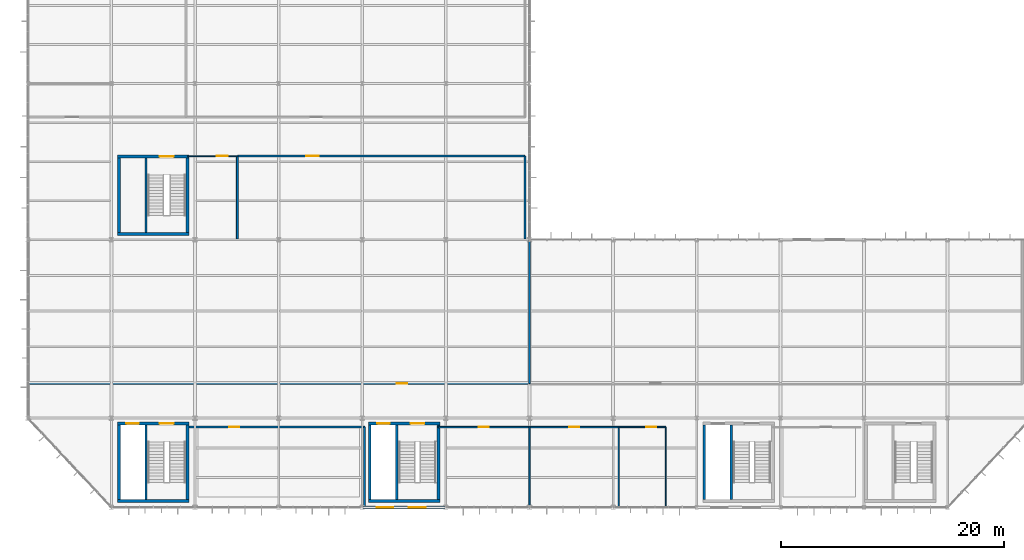
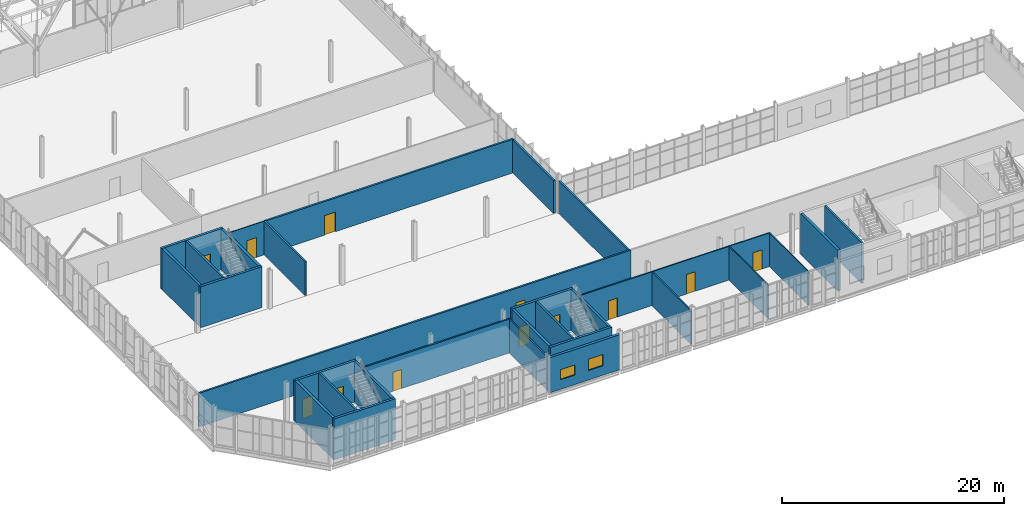
# One storey, part 305 of 324: 32 walls, 12 doors, 2 windows, 14 openings.
"""IFC4 building model written with IfcOpenShell, lengths in metres."""

from ifc_helpers import new_model, si_unit, direction, frame, frame_2d, origin, place, context, subcontext, project, spatial, rectangle, extrude, material, layer, layer_set, type_object, element, fill, save


model = new_model("IFC4")

# Units and contexts
model_context = context("Model", 3, precision=1e-05, world=origin(), true_north=direction((0.0, 1.0)))
body_context = subcontext(model_context, "Body", "Model", "MODEL_VIEW")
ifc_project = project(units=[si_unit("LENGTHUNIT", "METRE"), si_unit("AREAUNIT", "SQUARE_METRE"), si_unit("VOLUMEUNIT", "CUBIC_METRE"), si_unit("PLANEANGLEUNIT", "RADIAN"), si_unit("MASSUNIT", "GRAM", prefix="KILO")], contexts=[model_context])

# Site, building, storey
site_placement = place(None, origin())
site = spatial("IfcSite", under=ifc_project, at=site_placement, CompositionType="ELEMENT")
building_placement = place(site_placement, origin())
building = spatial("IfcBuilding", under=site, at=building_placement, Name="Solvenia Promenade Tram Depot", CompositionType="ELEMENT")
storey_placement = place(building_placement, frame((0.0, 0.0, 4.5)))
storey = spatial("IfcBuildingStorey", under=building, at=storey_placement, Name="L01", CompositionType="ELEMENT", Elevation=4.5)

# Wall
ifc_material_1 = material(Name="Concrete C28/35", Category="concrete")
ifc_layer_1 = layer(ifc_material_1, 0.25, Name="Concrete C28/35", Category="concrete")
ifc_layer_set_1 = layer_set([ifc_layer_1], Name="Concrete C28/35")
wall_type_1 = type_object("IfcWallType", Name="Wall-Core-250", PredefinedType="SHEAR", material=ifc_layer_set_1)
wall_1_placement = place(storey_placement, frame((8.050048828125, 0.574951171875, 0.0), z_axis=(0.0, 0.0, 1.0), x_axis=(1.0, 0.0, 0.0)))
element("IfcWall", 1, at=wall_1_placement, inside=storey, type_object=wall_type_1, Name="Core C1 Shear Wall WC-C1-L01-S", PredefinedType="SHEAR", context=body_context, shape_type="SweptSolid", body=[
    extrude(rectangle(XDim=6.39990234375, YDim=0.25, at=frame_2d((3.199951171875, 0.0))), origin(), (0.0, 0.0, 1.0), 4.5),
])

# Wall, openings, doors
wall_2_placement = place(storey_placement, frame((8.050048828125, 7.52490234375, 0.0), z_axis=(0.0, 0.0, 1.0), x_axis=(1.0, 0.0, 0.0)))
wall_2 = element("IfcWall", 2, at=wall_2_placement, inside=storey, type_object=wall_type_1, Name="Core C1 Shear Wall WC-C1-L01-N", PredefinedType="SHEAR", context=body_context, shape_type="SweptSolid", body=[
    extrude(rectangle(XDim=6.39990234375, YDim=0.25, at=frame_2d((3.199951171875, 0.0))), origin(), (0.0, 0.0, 1.0), 4.5),
])
opening_1_placement = place(wall_2_placement, frame((0.800048828125, 0.0, 0.0)))
opening_1 = element("IfcOpeningElement", 3, at=opening_1_placement, cuts=wall_2, Name="Opening LD-01", PredefinedType="OPENING", context=body_context, shape_type="SweptSolid", body=[
    extrude(rectangle(XDim=1.10009765625, YDim=2.14990234375, at=frame_2d((0.550048828125, 1.074951171875))), frame((0.0, 0.135009765625, 0.0), z_axis=(0.0, -1.0, 0.0), x_axis=(1.0, 0.0, 0.0)), (0.0, 0.0, 1.0), 0.27001953125),
])
opening_2_placement = place(wall_2_placement, frame((3.77490234375, 0.0, 0.0)))
opening_2 = element("IfcOpeningElement", 4, at=opening_2_placement, cuts=wall_2, Name="Opening D-FD90", PredefinedType="OPENING", context=body_context, shape_type="SweptSolid", body=[
    extrude(rectangle(XDim=1.25, YDim=2.14990234375, at=frame_2d((0.625, 1.074951171875))), frame((0.0, 0.135009765625, 0.0), z_axis=(0.0, -1.0, 0.0), x_axis=(1.0, 0.0, 0.0)), (0.0, 0.0, 1.0), 0.27001953125),
])
ifc_material_2 = material(Name="Galvanized painted sheet steel", Category="steel")
door_type_1 = type_object("IfcDoorType", Name="Door-Lift-Pass-1100", OperationType="DOUBLE_DOOR_SLIDING", PredefinedType="DOOR", material=ifc_material_2)
door_1_placement = place(opening_1_placement, origin())
door_1 = element("IfcDoor", 5, at=door_1_placement, inside=storey, type_object=door_type_1, Name="Lift Landing Door LF-01 L01", OperationType="DOUBLE_DOOR_SLIDING", OverallHeight=2.14990234375, OverallWidth=1.10009765625, PredefinedType="DOOR", context=body_context, shape_type="SweptSolid", body=[
    extrude(rectangle(XDim=1.10009765625, YDim=2.14990234375, at=frame_2d((0.550048828125, 1.074951171875))), frame((0.0, 0.02490234375, 0.0), z_axis=(0.0, -1.0, 0.0), x_axis=(1.0, 0.0, 0.0)), (0.0, 0.0, 1.0), 0.050048828125),
])
fill(opening_1, door_1)
door_type_2 = type_object("IfcDoorType", Name="Door-Stair-FD90", OperationType="NOTDEFINED", PredefinedType="DOOR", material=ifc_material_2)
door_2_placement = place(opening_2_placement, frame((1.25, 0.0, 0.0), z_axis=(0.0, 0.0, 1.0), x_axis=(-1.0, 0.0, 0.0)))
door_2 = element("IfcDoor", 6, at=door_2_placement, inside=storey, type_object=door_type_2, Name="Exit Stair Door C1 L01", OperationType="SINGLE_SWING_LEFT", OverallHeight=2.14990234375, OverallWidth=1.25, PredefinedType="DOOR", context=body_context, shape_type="SweptSolid", body=[
    extrude(rectangle(XDim=1.25, YDim=2.14990234375, at=frame_2d((0.625, 1.074951171875))), frame((0.0, 0.02490234375, 0.0), z_axis=(0.0, -1.0, 0.0), x_axis=(1.0, 0.0, 0.0)), (0.0, 0.0, 1.0), 0.050048828125),
])
fill(opening_2, door_2)

# Walls
for number, where, z_axis, x_axis, name in (
    (7, (8.175048828125, 0.699951171875, 0.0), (0.0, 0.0, 1.0), (0.0, 1.0, 0.0), "Core C1 Shear Wall WC-C1-L01-W"),
    (8, (14.324951171875, 0.699951171875, 0.0), (0.0, 0.0, 1.0), (0.0, 1.0, 0.0), "Core C1 Shear Wall WC-C1-L01-E"),
):
    element("IfcWall", number, at=place(storey_placement, frame(where, z_axis=z_axis, x_axis=x_axis)), inside=storey, type_object=wall_type_1, Name=name, PredefinedType="SHEAR", context=body_context, shape_type="SweptSolid", body=[
        extrude(rectangle(XDim=6.699951171875, YDim=0.25, at=frame_2d((3.35009765625, 0.0))), origin(), (0.0, 0.0, 1.0), 4.5),
    ])
wall_3_placement = place(storey_placement, frame((30.550048828125, 0.574951171875, 0.0), z_axis=(0.0, 0.0, 1.0), x_axis=(1.0, 0.0, 0.0)))
element("IfcWall", 9, at=wall_3_placement, inside=storey, type_object=wall_type_1, Name="Core C2 Shear Wall WC-C2-L01-S", PredefinedType="SHEAR", context=body_context, shape_type="SweptSolid", body=[
    extrude(rectangle(XDim=6.39990234375, YDim=0.25, at=frame_2d((3.199951171875, 0.0))), origin(), (0.0, 0.0, 1.0), 4.5),
])

# Wall, openings, doors
wall_4_placement = place(storey_placement, frame((30.550048828125, 7.52490234375, 0.0), z_axis=(0.0, 0.0, 1.0), x_axis=(1.0, 0.0, 0.0)))
wall_4 = element("IfcWall", 10, at=wall_4_placement, inside=storey, type_object=wall_type_1, Name="Core C2 Shear Wall WC-C2-L01-N", PredefinedType="SHEAR", context=body_context, shape_type="SweptSolid", body=[
    extrude(rectangle(XDim=6.39990234375, YDim=0.25, at=frame_2d((3.199951171875, 0.0))), origin(), (0.0, 0.0, 1.0), 4.5),
])
opening_3_placement = place(wall_4_placement, frame((0.800048828125, 0.0, 0.0)))
opening_3 = element("IfcOpeningElement", 11, at=opening_3_placement, cuts=wall_4, Name="Opening LD-02", PredefinedType="OPENING", context=body_context, shape_type="SweptSolid", body=[
    extrude(rectangle(XDim=1.10009765625, YDim=2.14990234375, at=frame_2d((0.550048828125, 1.074951171875))), frame((0.0, 0.135009765625, 0.0), z_axis=(0.0, -1.0, 0.0), x_axis=(1.0, 0.0, 0.0)), (0.0, 0.0, 1.0), 0.27001953125),
])
opening_4_placement = place(wall_4_placement, frame((3.77490234375, 0.0, 0.0)))
opening_4 = element("IfcOpeningElement", 12, at=opening_4_placement, cuts=wall_4, Name="Opening D-FD90", PredefinedType="OPENING", context=body_context, shape_type="SweptSolid", body=[
    extrude(rectangle(XDim=1.25, YDim=2.14990234375, at=frame_2d((0.625, 1.074951171875))), frame((0.0, 0.135009765625, 0.0), z_axis=(0.0, -1.0, 0.0), x_axis=(1.0, 0.0, 0.0)), (0.0, 0.0, 1.0), 0.27001953125),
])
door_3_placement = place(opening_3_placement, origin())
door_3 = element("IfcDoor", 13, at=door_3_placement, inside=storey, type_object=door_type_1, Name="Lift Landing Door LF-02 L01", OperationType="DOUBLE_DOOR_SLIDING", OverallHeight=2.14990234375, OverallWidth=1.10009765625, PredefinedType="DOOR", context=body_context, shape_type="SweptSolid", body=[
    extrude(rectangle(XDim=1.10009765625, YDim=2.14990234375, at=frame_2d((0.550048828125, 1.074951171875))), frame((0.0, 0.02490234375, 0.0), z_axis=(0.0, -1.0, 0.0), x_axis=(1.0, 0.0, 0.0)), (0.0, 0.0, 1.0), 0.050048828125),
])
fill(opening_3, door_3)
door_4_placement = place(opening_4_placement, frame((1.25, 0.0, 0.0), z_axis=(0.0, 0.0, 1.0), x_axis=(-1.0, 0.0, 0.0)))
door_4 = element("IfcDoor", 14, at=door_4_placement, inside=storey, type_object=door_type_2, Name="Exit Stair Door C2 L01", OperationType="SINGLE_SWING_RIGHT", OverallHeight=2.14990234375, OverallWidth=1.25, PredefinedType="DOOR", context=body_context, shape_type="SweptSolid", body=[
    extrude(rectangle(XDim=1.25, YDim=2.14990234375, at=frame_2d((0.625, 1.074951171875))), frame((0.0, 0.02490234375, 0.0), z_axis=(0.0, -1.0, 0.0), x_axis=(1.0, 0.0, 0.0)), (0.0, 0.0, 1.0), 0.050048828125),
])
fill(opening_4, door_4)

# Walls
for number, where, z_axis, x_axis, name in (
    (15, (30.675048828125, 0.699951171875, 0.0), (0.0, 0.0, 1.0), (0.0, 1.0, 0.0), "Core C2 Shear Wall WC-C2-L01-W"),
    (16, (36.824951171875, 0.699951171875, 0.0), (0.0, 0.0, 1.0), (0.0, 1.0, 0.0), "Core C2 Shear Wall WC-C2-L01-E"),
    (17, (60.675048828125, 0.699951171875, 0.0), (0.0, 0.0, 1.0), (0.0, 1.0, 0.0), "Core C3 Shear Wall WC-C3-L01-W"),
):
    element("IfcWall", number, at=place(storey_placement, frame(where, z_axis=z_axis, x_axis=x_axis)), inside=storey, type_object=wall_type_1, Name=name, PredefinedType="SHEAR", context=body_context, shape_type="SweptSolid", body=[
        extrude(rectangle(XDim=6.699951171875, YDim=0.25, at=frame_2d((3.35009765625, 0.0))), origin(), (0.0, 0.0, 1.0), 4.5),
    ])
wall_5_placement = place(storey_placement, frame((8.050048828125, 24.52490234375, 0.0), z_axis=(0.0, 0.0, 1.0), x_axis=(1.0, 0.0, 0.0)))
element("IfcWall", 18, at=wall_5_placement, inside=storey, type_object=wall_type_1, Name="Core C7 Shear Wall WC-C7-L01-S", PredefinedType="SHEAR", context=body_context, shape_type="SweptSolid", body=[
    extrude(rectangle(XDim=6.39990234375, YDim=0.25, at=frame_2d((3.199951171875, 0.0))), origin(), (0.0, 0.0, 1.0), 4.5),
])

# Wall, opening, door
wall_6_placement = place(storey_placement, frame((8.050048828125, 31.47509765625, 0.0), z_axis=(0.0, 0.0, 1.0), x_axis=(1.0, 0.0, 0.0)))
wall_6 = element("IfcWall", 19, at=wall_6_placement, inside=storey, type_object=wall_type_1, Name="Core C7 Shear Wall WC-C7-L01-N", PredefinedType="SHEAR", context=body_context, shape_type="SweptSolid", body=[
    extrude(rectangle(XDim=6.39990234375, YDim=0.25, at=frame_2d((3.199951171875, 0.0))), origin(), (0.0, 0.0, 1.0), 4.5),
])
opening_5_placement = place(wall_6_placement, frame((3.77490234375, 0.0, 0.0)))
opening_5 = element("IfcOpeningElement", 20, at=opening_5_placement, cuts=wall_6, Name="Opening D-FD90", PredefinedType="OPENING", context=body_context, shape_type="SweptSolid", body=[
    extrude(rectangle(XDim=1.25, YDim=2.14990234375, at=frame_2d((0.625, 1.074951171875))), frame((0.0, 0.135009765625, 0.0), z_axis=(0.0, -1.0, 0.0), x_axis=(1.0, 0.0, 0.0)), (0.0, 0.0, 1.0), 0.27001953125),
])
door_5_placement = place(opening_5_placement, frame((1.25, 0.0, 0.0), z_axis=(0.0, 0.0, 1.0), x_axis=(-1.0, 0.0, 0.0)))
door_5 = element("IfcDoor", 21, at=door_5_placement, inside=storey, type_object=door_type_2, Name="Exit Stair Door C7 L01", OperationType="SINGLE_SWING_LEFT", OverallHeight=2.14990234375, OverallWidth=1.25, PredefinedType="DOOR", context=body_context, shape_type="SweptSolid", body=[
    extrude(rectangle(XDim=1.25, YDim=2.14990234375, at=frame_2d((0.625, 1.074951171875))), frame((0.0, 0.02490234375, 0.0), z_axis=(0.0, -1.0, 0.0), x_axis=(1.0, 0.0, 0.0)), (0.0, 0.0, 1.0), 0.050048828125),
])
fill(opening_5, door_5)

# Walls
for number, where, z_axis, x_axis, name in (
    (22, (8.175048828125, 24.64990234375, 0.0), (0.0, 0.0, 1.0), (0.0, 1.0, 0.0), "Core C7 Shear Wall WC-C7-L01-W"),
    (23, (14.324951171875, 24.64990234375, 0.0), (0.0, 0.0, 1.0), (0.0, 1.0, 0.0), "Core C7 Shear Wall WC-C7-L01-E"),
):
    element("IfcWall", number, at=place(storey_placement, frame(where, z_axis=z_axis, x_axis=x_axis)), inside=storey, type_object=wall_type_1, Name=name, PredefinedType="SHEAR", context=body_context, shape_type="SweptSolid", body=[
        extrude(rectangle(XDim=6.7001953125, YDim=0.25, at=frame_2d((3.35009765625, 0.0))), origin(), (0.0, 0.0, 1.0), 4.5),
    ])

# Wall, opening, door
ifc_material_3 = material(Name="Concrete blockwork masonry", Category="masonry")
ifc_layer_2 = layer(ifc_material_3, 0.195068359375, Name="Concrete blockwork masonry", Category="masonry")
ifc_layer_set_2 = layer_set([ifc_layer_2], Name="Concrete blockwork masonry")
wall_type_2 = type_object("IfcWallType", Name="Wall-Fire-195", PredefinedType="PARTITIONING", material=ifc_layer_set_2)
wall_7_placement = place(storey_placement, frame((18.800048828125, 31.5, 0.0), z_axis=(0.0, 0.0, 1.0), x_axis=(1.0, 0.0, 0.0)))
wall_7 = element("IfcWall", 24, at=wall_7_placement, inside=storey, type_object=wall_type_2, Name="Coagulant Storage Room Partition WP-L01-074", PredefinedType="PARTITIONING", context=body_context, shape_type="SweptSolid", body=[
    extrude(rectangle(XDim=25.800048828125, YDim=0.195068359375, at=frame_2d((12.89990234375, 0.0))), origin(), (0.0, 0.0, 1.0), 3.699951171875),
])
opening_6_placement = place(wall_7_placement, frame((6.1630859375, 0.0, 0.0)))
opening_6 = element("IfcOpeningElement", 25, at=opening_6_placement, cuts=wall_7, Name="Opening D-FD60", PredefinedType="OPENING", context=body_context, shape_type="SweptSolid", body=[
    extrude(rectangle(XDim=1.14990234375, YDim=2.14990234375, at=frame_2d((0.574951171875, 1.074951171875))), frame((0.0, 0.107421875, 0.0), z_axis=(0.0, -1.0, 0.0), x_axis=(1.0, 0.0, 0.0)), (0.0, 0.0, 1.0), 0.215087890625),
])
door_type_3 = type_object("IfcDoorType", Name="Door-Fire-FD60", OperationType="NOTDEFINED", PredefinedType="DOOR", material=ifc_material_2)
door_6_placement = place(opening_6_placement, origin())
door_6 = element("IfcDoor", 26, at=door_6_placement, inside=storey, type_object=door_type_3, Name="Door to Coagulant Storage Room", OperationType="SINGLE_SWING_LEFT", OverallHeight=2.14990234375, OverallWidth=1.14990234375, PredefinedType="DOOR", context=body_context, shape_type="SweptSolid", body=[
    extrude(rectangle(XDim=1.14990234375, YDim=2.14990234375, at=frame_2d((0.574951171875, 1.074951171875))), frame((0.0, 0.02490234375, 0.0), z_axis=(0.0, -1.0, 0.0), x_axis=(1.0, 0.0, 0.0)), (0.0, 0.0, 1.0), 0.050048828125),
])
fill(opening_6, door_6)

# Walls
wall_8_placement = place(storey_placement, frame((44.60009765625, 24.080078125, 0.0), z_axis=(0.0, 0.0, 1.0), x_axis=(0.0, 1.0, 0.0)))
element("IfcWall", 27, at=wall_8_placement, inside=storey, type_object=wall_type_2, Name="Coagulant Storage Room Dividing Wall WP-L01-075", PredefinedType="PARTITIONING", context=body_context, shape_type="SweptSolid", body=[
    extrude(rectangle(XDim=7.419921875, YDim=0.195068359375, at=frame_2d((3.7099609375, 0.0))), origin(), (0.0, 0.0, 1.0), 3.613037109375),
])
ifc_layer_3 = layer(ifc_material_3, 0.14501953125, Name="Concrete blockwork masonry", Category="masonry")
ifc_layer_set_3 = layer_set([ifc_layer_3], Name="Concrete blockwork masonry")
wall_type_3 = type_object("IfcWallType", Name="Wall-Masonry-145", PredefinedType="PARTITIONING", material=ifc_layer_set_3)
wall_9_placement = place(storey_placement, frame((30.199951171875, 0.080078125, 0.0), z_axis=(0.0, 0.0, 1.0), x_axis=(0.0, 1.0, 0.0)))
element("IfcWall", 28, at=wall_9_placement, inside=storey, type_object=wall_type_3, Name="Operations Briefing Room Dividing Wall WP-L01-077", PredefinedType="PARTITIONING", context=body_context, shape_type="SweptSolid", body=[
    extrude(rectangle(XDim=7.119873046875, YDim=0.14501953125, at=frame_2d((3.56005859375, 0.0))), origin(), (0.0, 0.0, 1.0), 3.699951171875),
])

# Wall, opening, door
wall_10_placement = place(storey_placement, frame((36.824951171875, 7.199951171875, 0.0), z_axis=(0.0, 0.0, 1.0), x_axis=(1.0, 0.0, 0.0)))
wall_10 = element("IfcWall", 29, at=wall_10_placement, inside=storey, type_object=wall_type_3, Name="First Floor Male Staff WC Partition WP-L01-078", PredefinedType="PARTITIONING", context=body_context, shape_type="SweptSolid", body=[
    extrude(rectangle(XDim=8.175048828125, YDim=0.14501953125, at=frame_2d((4.08740234375, 0.0))), origin(), (0.0, 0.0, 1.0), 3.699951171875),
])
opening_7_placement = place(wall_10_placement, frame((3.636962890625, 0.0, 0.0)))
opening_7 = element("IfcOpeningElement", 30, at=opening_7_placement, cuts=wall_10, Name="Opening DR-03", PredefinedType="OPENING", context=body_context, shape_type="SweptSolid", body=[
    extrude(rectangle(XDim=0.89990234375, YDim=2.080078125, at=frame_2d((0.449951171875, 1.0400390625))), frame((0.0, 0.08251953125, 0.0), z_axis=(0.0, -1.0, 0.0), x_axis=(1.0, 0.0, 0.0)), (0.0, 0.0, 1.0), 0.1650390625),
])
door_type_4 = type_object("IfcDoorType", Name="Door-Room-900x2080", OperationType="NOTDEFINED", PredefinedType="DOOR", material=ifc_material_2)
door_7_placement = place(opening_7_placement, origin())
door_7 = element("IfcDoor", 31, at=door_7_placement, inside=storey, type_object=door_type_4, Name="Door to First Floor Male Staff WC", OperationType="SINGLE_SWING_LEFT", OverallHeight=2.080078125, OverallWidth=0.89990234375, PredefinedType="DOOR", context=body_context, shape_type="SweptSolid", body=[
    extrude(rectangle(XDim=0.89990234375, YDim=2.080078125, at=frame_2d((0.449951171875, 1.0400390625))), frame((0.0, 0.02490234375, 0.0), z_axis=(0.0, -1.0, 0.0), x_axis=(1.0, 0.0, 0.0)), (0.0, 0.0, 1.0), 0.050048828125),
])
fill(opening_7, door_7)

ifc_layer_4 = layer(ifc_material_3, 0.159912109375, Name="Concrete blockwork masonry", Category="masonry")
ifc_layer_set_4 = layer_set([ifc_layer_4], Name="Concrete blockwork masonry")
wall_type_4 = type_object("IfcWallType", Name="Wall-Masonry-160", PredefinedType="PARTITIONING", material=ifc_layer_set_4)
wall_11_placement = place(storey_placement, frame((14.324951171875, 7.199951171875, 0.0), z_axis=(0.0, 0.0, 1.0), x_axis=(1.0, 0.0, 0.0)))
wall_11 = element("IfcWall", 32, at=wall_11_placement, inside=storey, type_object=wall_type_4, Name="Operations Briefing Room Partition WP-L01-076", PredefinedType="PARTITIONING", context=body_context, shape_type="SweptSolid", body=[
    extrude(rectangle(XDim=15.875, YDim=0.159912109375, at=frame_2d((7.9375, 0.0))), origin(), (0.0, 0.0, 1.0), 3.699951171875),
])
opening_8_placement = place(wall_11_placement, frame((3.7490234375, 0.0, 0.0)))
opening_8 = element("IfcOpeningElement", 33, at=opening_8_placement, cuts=wall_11, Name="Opening DR-02", PredefinedType="OPENING", context=body_context, shape_type="SweptSolid", body=[
    extrude(rectangle(XDim=0.8798828125, YDim=2.10009765625, at=frame_2d((0.43994140625, 1.050048828125))), frame((0.0, 0.08984375, 0.0), z_axis=(0.0, -1.0, 0.0), x_axis=(1.0, 0.0, 0.0)), (0.0, 0.0, 1.0), 0.179931640625),
])
door_type_5 = type_object("IfcDoorType", Name="Door-Room-880x2100", OperationType="NOTDEFINED", PredefinedType="DOOR", material=ifc_material_2)
door_8_placement = place(opening_8_placement, origin())
door_8 = element("IfcDoor", 34, at=door_8_placement, inside=storey, type_object=door_type_5, Name="Door to Operations Briefing Room", OperationType="SINGLE_SWING_RIGHT", OverallHeight=2.10009765625, OverallWidth=0.8798828125, PredefinedType="DOOR", context=body_context, shape_type="SweptSolid", body=[
    extrude(rectangle(XDim=0.8798828125, YDim=2.10009765625, at=frame_2d((0.43994140625, 1.050048828125))), frame((0.0, 0.02490234375, 0.0), z_axis=(0.0, -1.0, 0.0), x_axis=(1.0, 0.0, 0.0)), (0.0, 0.0, 1.0), 0.050048828125),
])
fill(opening_8, door_8)

# Walls
ifc_layer_5 = layer(ifc_material_3, 0.16796875, Name="Concrete blockwork masonry", Category="masonry")
ifc_layer_set_5 = layer_set([ifc_layer_5], Name="Concrete blockwork masonry")
wall_type_5 = type_object("IfcWallType", Name="Wall-Masonry-168", PredefinedType="PARTITIONING", material=ifc_layer_set_5)
wall_12_placement = place(storey_placement, frame((45.0, 11.10009765625, 0.0), z_axis=(0.0, 0.0, 1.0), x_axis=(0.0, 1.0, 0.0)))
element("IfcWall", 35, at=wall_12_placement, inside=storey, type_object=wall_type_5, Name="Drivers Locker Suite Dividing Wall WP-L01-086", PredefinedType="PARTITIONING", context=body_context, shape_type="SweptSolid", body=[
    extrude(rectangle(XDim=12.81982421875, YDim=0.16796875, at=frame_2d((6.409912109375, 0.0))), origin(), (0.0, 0.0, 1.0), 3.5810546875),
])
ifc_layer_6 = layer(ifc_material_3, 0.175048828125, Name="Concrete blockwork masonry", Category="masonry")
ifc_layer_set_6 = layer_set([ifc_layer_6], Name="Concrete blockwork masonry")
wall_type_6 = type_object("IfcWallType", Name="Wall-Masonry-175", PredefinedType="PARTITIONING", material=ifc_layer_set_6)
wall_13_placement = place(storey_placement, frame((18.800048828125, 24.080078125, 0.0), z_axis=(0.0, 0.0, 1.0), x_axis=(0.0, 1.0, 0.0)))
element("IfcWall", 36, at=wall_13_placement, inside=storey, type_object=wall_type_6, Name="Reclamation Staff Accessible WC Dividing Wall WP-L01-073", PredefinedType="PARTITIONING", context=body_context, shape_type="SweptSolid", body=[
    extrude(rectangle(XDim=7.419921875, YDim=0.175048828125, at=frame_2d((3.7099609375, 0.0))), origin(), (0.0, 0.0, 1.0), 3.699951171875),
])

# Wall, opening, door
ifc_layer_7 = layer(ifc_material_3, 0.18505859375, Name="Concrete blockwork masonry", Category="masonry")
ifc_layer_set_7 = layer_set([ifc_layer_7], Name="Concrete blockwork masonry")
wall_type_7 = type_object("IfcWallType", Name="Wall-Masonry-185", PredefinedType="PARTITIONING", material=ifc_layer_set_7)
wall_14_placement = place(storey_placement, frame((0.159912109375, 11.10009765625, 0.0), z_axis=(0.0, 0.0, 1.0), x_axis=(1.0, 0.0, 0.0)))
wall_14 = element("IfcWall", 37, at=wall_14_placement, inside=storey, type_object=wall_type_7, Name="Drivers Locker Suite Partition WP-L01-085", PredefinedType="PARTITIONING", context=body_context, shape_type="SweptSolid", body=[
    extrude(rectangle(XDim=44.840087890625, YDim=0.18505859375, at=frame_2d((22.419921875, 0.0))), origin(), (0.0, 0.0, 1.0), 3.699951171875),
])
opening_9_placement = place(wall_14_placement, frame((32.909912109375, 0.0, 0.0)))
opening_9 = element("IfcOpeningElement", 38, at=opening_9_placement, cuts=wall_14, Name="Opening DR-07", PredefinedType="OPENING", context=body_context, shape_type="SweptSolid", body=[
    extrude(rectangle(XDim=0.9599609375, YDim=2.10009765625, at=frame_2d((0.47998046875, 1.050048828125))), frame((0.0, 0.1025390625, 0.0), z_axis=(0.0, -1.0, 0.0), x_axis=(1.0, 0.0, 0.0)), (0.0, 0.0, 1.0), 0.205078125),
])
door_type_6 = type_object("IfcDoorType", Name="Door-Room-960x2100", OperationType="NOTDEFINED", PredefinedType="DOOR", material=ifc_material_2)
door_9_placement = place(opening_9_placement, origin())
door_9 = element("IfcDoor", 39, at=door_9_placement, inside=storey, type_object=door_type_6, Name="Door to Drivers Locker Suite", OperationType="SINGLE_SWING_LEFT", OverallHeight=2.10009765625, OverallWidth=0.9599609375, PredefinedType="DOOR", context=body_context, shape_type="SweptSolid", body=[
    extrude(rectangle(XDim=0.9599609375, YDim=2.10009765625, at=frame_2d((0.47998046875, 1.050048828125))), frame((0.0, 0.02490234375, 0.0), z_axis=(0.0, -1.0, 0.0), x_axis=(1.0, 0.0, 0.0)), (0.0, 0.0, 1.0), 0.050048828125),
])
fill(opening_9, door_9)

# Wall
ifc_material_4 = material(Name="Gypsum board acoustic partition", Category="other")
ifc_layer_8 = layer(ifc_material_4, 0.114013671875, Name="Gypsum board acoustic partition", Category="other")
ifc_layer_set_8 = layer_set([ifc_layer_8], Name="Gypsum board acoustic partition")
wall_type_8 = type_object("IfcWallType", Name="Wall-Part-114", PredefinedType="PARTITIONING", material=ifc_layer_set_8)
wall_15_placement = place(storey_placement, frame((53.0, 0.080078125, 0.0), z_axis=(0.0, 0.0, 1.0), x_axis=(0.0, 1.0, 0.0)))
element("IfcWall", 40, at=wall_15_placement, inside=storey, type_object=wall_type_8, Name="First Floor Female Staff WC Dividing Wall WP-L01-081", PredefinedType="PARTITIONING", context=body_context, shape_type="SweptSolid", body=[
    extrude(rectangle(XDim=7.119873046875, YDim=0.114013671875, at=frame_2d((3.56005859375, 0.0))), origin(), (0.0, 0.0, 1.0), 3.699951171875),
])

# Wall, opening, door
wall_16_placement = place(storey_placement, frame((53.0, 7.199951171875, 0.0), z_axis=(0.0, 0.0, 1.0), x_axis=(1.0, 0.0, 0.0)))
wall_16 = element("IfcWall", 41, at=wall_16_placement, inside=storey, type_object=wall_type_8, Name="First Floor Accessible WC Partition WP-L01-082", PredefinedType="PARTITIONING", context=body_context, shape_type="SweptSolid", body=[
    extrude(rectangle(XDim=4.199951171875, YDim=0.114013671875, at=frame_2d((2.10009765625, 0.0))), origin(), (0.0, 0.0, 1.0), 3.699951171875),
])
opening_10_placement = place(wall_16_placement, frame((2.4599609375, 0.0, 0.0)))
opening_10 = element("IfcOpeningElement", 42, at=opening_10_placement, cuts=wall_16, Name="Opening DR-05", PredefinedType="OPENING", context=body_context, shape_type="SweptSolid", body=[
    extrude(rectangle(XDim=0.919921875, YDim=2.10009765625, at=frame_2d((0.4599609375, 1.050048828125))), frame((0.0, 0.06689453125, 0.0), z_axis=(0.0, -1.0, 0.0), x_axis=(1.0, 0.0, 0.0)), (0.0, 0.0, 1.0), 0.134033203125),
])
door_type_7 = type_object("IfcDoorType", Name="Door-Room-920x2100", OperationType="NOTDEFINED", PredefinedType="DOOR", material=ifc_material_2)
door_10_placement = place(opening_10_placement, origin())
door_10 = element("IfcDoor", 43, at=door_10_placement, inside=storey, type_object=door_type_7, Name="Door to First Floor Accessible WC", OperationType="SINGLE_SWING_LEFT", OverallHeight=2.10009765625, OverallWidth=0.919921875, PredefinedType="DOOR", context=body_context, shape_type="SweptSolid", body=[
    extrude(rectangle(XDim=0.919921875, YDim=2.10009765625, at=frame_2d((0.4599609375, 1.050048828125))), frame((0.0, 0.02490234375, 0.0), z_axis=(0.0, -1.0, 0.0), x_axis=(1.0, 0.0, 0.0)), (0.0, 0.0, 1.0), 0.050048828125),
])
fill(opening_10, door_10)

# Wall
ifc_layer_9 = layer(ifc_material_4, 0.1298828125, Name="Gypsum board acoustic partition", Category="other")
ifc_layer_set_9 = layer_set([ifc_layer_9], Name="Gypsum board acoustic partition")
wall_type_9 = type_object("IfcWallType", Name="Wall-Part-130", PredefinedType="PARTITIONING", material=ifc_layer_set_9)
wall_17_placement = place(storey_placement, frame((45.0, 0.080078125, 0.0), z_axis=(0.0, 0.0, 1.0), x_axis=(0.0, 1.0, 0.0)))
element("IfcWall", 44, at=wall_17_placement, inside=storey, type_object=wall_type_9, Name="First Floor Male Staff WC Dividing Wall WP-L01-079", PredefinedType="PARTITIONING", context=body_context, shape_type="SweptSolid", body=[
    extrude(rectangle(XDim=7.119873046875, YDim=0.1298828125, at=frame_2d((3.56005859375, 0.0))), origin(), (0.0, 0.0, 1.0), 3.699951171875),
])

# Wall, opening, door
wall_18_placement = place(storey_placement, frame((45.0, 7.199951171875, 0.0), z_axis=(0.0, 0.0, 1.0), x_axis=(1.0, 0.0, 0.0)))
wall_18 = element("IfcWall", 45, at=wall_18_placement, inside=storey, type_object=wall_type_9, Name="First Floor Female Staff WC Partition WP-L01-080", PredefinedType="PARTITIONING", context=body_context, shape_type="SweptSolid", body=[
    extrude(rectangle(XDim=8.0, YDim=0.1298828125, at=frame_2d((4.0, 0.0))), origin(), (0.0, 0.0, 1.0), 3.699951171875),
])
opening_11_placement = place(wall_18_placement, frame((3.550048828125, 0.0, 0.0)))
opening_11 = element("IfcOpeningElement", 46, at=opening_11_placement, cuts=wall_18, Name="Opening DR-04", PredefinedType="OPENING", context=body_context, shape_type="SweptSolid", body=[
    extrude(rectangle(XDim=0.89990234375, YDim=2.139892578125, at=frame_2d((0.449951171875, 1.06982421875))), frame((0.0, 0.074951171875, 0.0), z_axis=(0.0, -1.0, 0.0), x_axis=(1.0, 0.0, 0.0)), (0.0, 0.0, 1.0), 0.14990234375),
])
door_type_8 = type_object("IfcDoorType", Name="Door-Room-900x2140", OperationType="NOTDEFINED", PredefinedType="DOOR", material=ifc_material_2)
door_11_placement = place(opening_11_placement, origin())
door_11 = element("IfcDoor", 47, at=door_11_placement, inside=storey, type_object=door_type_8, Name="Door to First Floor Female Staff WC", OperationType="SINGLE_SWING_RIGHT", OverallHeight=2.139892578125, OverallWidth=0.89990234375, PredefinedType="DOOR", context=body_context, shape_type="SweptSolid", body=[
    extrude(rectangle(XDim=0.89990234375, YDim=2.139892578125, at=frame_2d((0.449951171875, 1.06982421875))), frame((0.0, 0.02490234375, 0.0), z_axis=(0.0, -1.0, 0.0), x_axis=(1.0, 0.0, 0.0)), (0.0, 0.0, 1.0), 0.050048828125),
])
fill(opening_11, door_11)

ifc_layer_10 = layer(ifc_material_4, 0.097900390625, Name="Gypsum board acoustic partition", Category="other")
ifc_layer_set_10 = layer_set([ifc_layer_10], Name="Gypsum board acoustic partition")
wall_type_10 = type_object("IfcWallType", Name="Wall-Part-98", PredefinedType="PARTITIONING", material=ifc_layer_set_10)
wall_19_placement = place(storey_placement, frame((14.324951171875, 31.5, 0.0), z_axis=(0.0, 0.0, 1.0), x_axis=(1.0, 0.0, 0.0)))
wall_19 = element("IfcWall", 48, at=wall_19_placement, inside=storey, type_object=wall_type_10, Name="Reclamation Staff Accessible WC Partition WP-L01-072", PredefinedType="PARTITIONING", context=body_context, shape_type="SweptSolid", body=[
    extrude(rectangle(XDim=4.47509765625, YDim=0.097900390625, at=frame_2d((2.237548828125, 0.0))), origin(), (0.0, 0.0, 1.0), 3.699951171875),
])
opening_12_placement = place(wall_19_placement, frame((2.59912109375, 0.0, 0.0)))
opening_12 = element("IfcOpeningElement", 49, at=opening_12_placement, cuts=wall_19, Name="Opening DR-42", PredefinedType="OPENING", context=body_context, shape_type="SweptSolid", body=[
    extrude(rectangle(XDim=1.010009765625, YDim=2.179931640625, at=frame_2d((0.5048828125, 1.08984375))), frame((0.0, 0.058837890625, 0.0), z_axis=(0.0, -1.0, 0.0), x_axis=(1.0, 0.0, 0.0)), (0.0, 0.0, 1.0), 0.117919921875),
])
door_type_9 = type_object("IfcDoorType", Name="Door-Room-1010x2180", OperationType="NOTDEFINED", PredefinedType="DOOR", material=ifc_material_2)
door_12_placement = place(opening_12_placement, origin())
door_12 = element("IfcDoor", 50, at=door_12_placement, inside=storey, type_object=door_type_9, Name="Door to Reclamation Staff Accessible WC", OperationType="SINGLE_SWING_RIGHT", OverallHeight=2.179931640625, OverallWidth=1.010009765625, PredefinedType="DOOR", context=body_context, shape_type="SweptSolid", body=[
    extrude(rectangle(XDim=1.010009765625, YDim=2.179931640625, at=frame_2d((0.5048828125, 1.08984375))), frame((0.0, 0.02490234375, 0.0), z_axis=(0.0, -1.0, 0.0), x_axis=(1.0, 0.0, 0.0)), (0.0, 0.0, 1.0), 0.050048828125),
])
fill(opening_12, door_12)

# Walls
wall_20_placement = place(storey_placement, frame((57.199951171875, 0.080078125, 0.0), z_axis=(0.0, 0.0, 1.0), x_axis=(0.0, 1.0, 0.0)))
element("IfcWall", 51, at=wall_20_placement, inside=storey, type_object=wall_type_10, Name="First Floor Accessible WC Dividing Wall WP-L01-083", PredefinedType="PARTITIONING", context=body_context, shape_type="SweptSolid", body=[
    extrude(rectangle(XDim=7.119873046875, YDim=0.097900390625, at=frame_2d((3.56005859375, 0.0))), origin(), (0.0, 0.0, 1.0), 3.699951171875),
])
ifc_layer_11 = layer(ifc_material_1, 0.199951171875, Name="Concrete C28/35", Category="concrete")
ifc_layer_set_11 = layer_set([ifc_layer_11], Name="Concrete C28/35")
wall_type_11 = type_object("IfcWallType", Name="Wall-Shaft-200", PredefinedType="SHEAR", material=ifc_layer_set_11)
for number, where, z_axis, x_axis, name in (
    (52, (10.60009765625, 0.699951171875, 0.0), (0.0, 0.0, 1.0), (0.0, 1.0, 0.0), "Core C1 Shear Wall WC-C1-L01-DIV"),
    (53, (33.10009765625, 0.699951171875, 0.0), (0.0, 0.0, 1.0), (0.0, 1.0, 0.0), "Core C2 Shear Wall WC-C2-L01-DIV"),
    (54, (63.10009765625, 0.699951171875, 0.0), (0.0, 0.0, 1.0), (0.0, 1.0, 0.0), "Core C3 Shear Wall WC-C3-L01-DIV"),
):
    element("IfcWall", number, at=place(storey_placement, frame(where, z_axis=z_axis, x_axis=x_axis)), inside=storey, type_object=wall_type_11, Name=name, PredefinedType="SHEAR", context=body_context, shape_type="SweptSolid", body=[
        extrude(rectangle(XDim=6.699951171875, YDim=0.199951171875, at=frame_2d((3.35009765625, 0.0))), origin(), (0.0, 0.0, 1.0), 4.5),
    ])
wall_21_placement = place(storey_placement, frame((10.60009765625, 24.64990234375, 0.0), z_axis=(0.0, 0.0, 1.0), x_axis=(0.0, 1.0, 0.0)))
element("IfcWall", 55, at=wall_21_placement, inside=storey, type_object=wall_type_11, Name="Core C7 Shear Wall WC-C7-L01-DIV", PredefinedType="SHEAR", context=body_context, shape_type="SweptSolid", body=[
    extrude(rectangle(XDim=6.7001953125, YDim=0.199951171875, at=frame_2d((3.35009765625, 0.0))), origin(), (0.0, 0.0, 1.0), 4.5),
])

# Wall, openings, windows
ifc_material_5 = material(Name="Concrete C35/45", Category="concrete")
ifc_layer_12 = layer(ifc_material_5, 0.264892578125, Name="Concrete C35/45", Category="concrete")
ifc_layer_set_12 = layer_set([ifc_layer_12], Name="Concrete C35/45")
wall_type_12 = type_object("IfcWallType", Name="Wall-Spandrel-265", PredefinedType="SOLIDWALL", material=ifc_layer_set_12)
wall_22_placement = place(storey_placement, frame((30.080078125, 0.0, 0.0), z_axis=(0.0, 0.0, 1.0), x_axis=(1.0, 0.0, 0.0)))
wall_22 = element("IfcWall", 56, at=wall_22_placement, inside=storey, type_object=wall_type_12, Name="L01 South Feature Pier EW-L01-081", PredefinedType="SOLIDWALL", context=body_context, shape_type="SweptSolid", body=[
    extrude(rectangle(XDim=7.33984375, YDim=0.264892578125, at=frame_2d((3.669921875, 0.0))), origin(), (0.0, 0.0, 1.0), 3.85009765625),
])
opening_13_placement = place(wall_22_placement, frame((1.199951171875, 0.0, 1.050048828125)))
opening_13 = element("IfcOpeningElement", 57, at=opening_13_placement, cuts=wall_22, Name="Opening WN-14", PredefinedType="OPENING", context=body_context, shape_type="SweptSolid", body=[
    extrude(rectangle(XDim=1.5, YDim=1.10009765625, at=frame_2d((0.75, 0.550048828125))), frame((0.0, 0.142333984375, 0.0), z_axis=(0.0, -1.0, 0.0), x_axis=(1.0, 0.0, 0.0)), (0.0, 0.0, 1.0), 0.284912109375),
])
opening_14_placement = place(wall_22_placement, frame((4.10009765625, 0.0, 1.050048828125)))
opening_14 = element("IfcOpeningElement", 58, at=opening_14_placement, cuts=wall_22, Name="Opening WN-15", PredefinedType="OPENING", context=body_context, shape_type="SweptSolid", body=[
    extrude(rectangle(XDim=1.5, YDim=1.25, at=frame_2d((0.75, 0.625))), frame((0.0, 0.142333984375, 0.0), z_axis=(0.0, -1.0, 0.0), x_axis=(1.0, 0.0, 0.0)), (0.0, 0.0, 1.0), 0.284912109375),
])
ifc_material_6 = material(Name="Double low-e argon insulated glass", Category="glass")
window_type_1 = type_object("IfcWindowType", Name="Win-1500x1100", PartitioningType="DOUBLE_PANEL_VERTICAL", PredefinedType="WINDOW", material=ifc_material_6)
window_1_placement = place(opening_13_placement, origin())
window_1 = element("IfcWindow", 59, at=window_1_placement, inside=storey, type_object=window_type_1, Name="L01 South Facade Window 014", OverallHeight=1.10009765625, OverallWidth=1.5, PartitioningType="SINGLE_PANEL", PredefinedType="WINDOW", context=body_context, shape_type="SweptSolid", body=[
    extrude(rectangle(XDim=1.5, YDim=1.10009765625, at=frame_2d((0.75, 0.550048828125))), frame((0.0, 0.030029296875, 0.0), z_axis=(0.0, -1.0, 0.0), x_axis=(1.0, 0.0, 0.0)), (0.0, 0.0, 1.0), 0.06005859375),
])
fill(opening_13, window_1)
window_type_2 = type_object("IfcWindowType", Name="Win-1500x1250", PartitioningType="DOUBLE_PANEL_VERTICAL", PredefinedType="WINDOW", material=ifc_material_6)
window_2_placement = place(opening_14_placement, origin())
window_2 = element("IfcWindow", 60, at=window_2_placement, inside=storey, type_object=window_type_2, Name="L01 South Facade Window 015", OverallHeight=1.25, OverallWidth=1.5, PartitioningType="SINGLE_PANEL", PredefinedType="WINDOW", context=body_context, shape_type="SweptSolid", body=[
    extrude(rectangle(XDim=1.5, YDim=1.25, at=frame_2d((0.75, 0.625))), frame((0.0, 0.030029296875, 0.0), z_axis=(0.0, -1.0, 0.0), x_axis=(1.0, 0.0, 0.0)), (0.0, 0.0, 1.0), 0.06005859375),
])
fill(opening_14, window_2)

save(model, "model.ifc")
